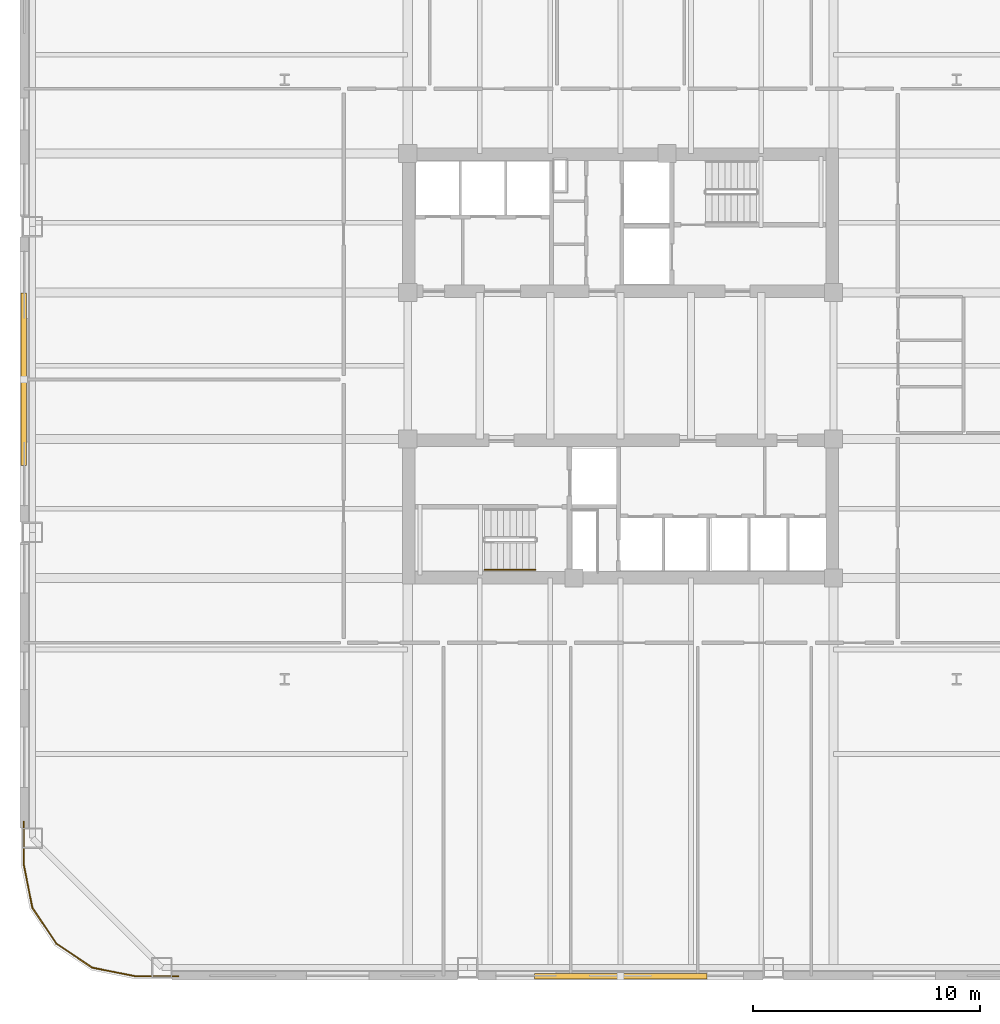
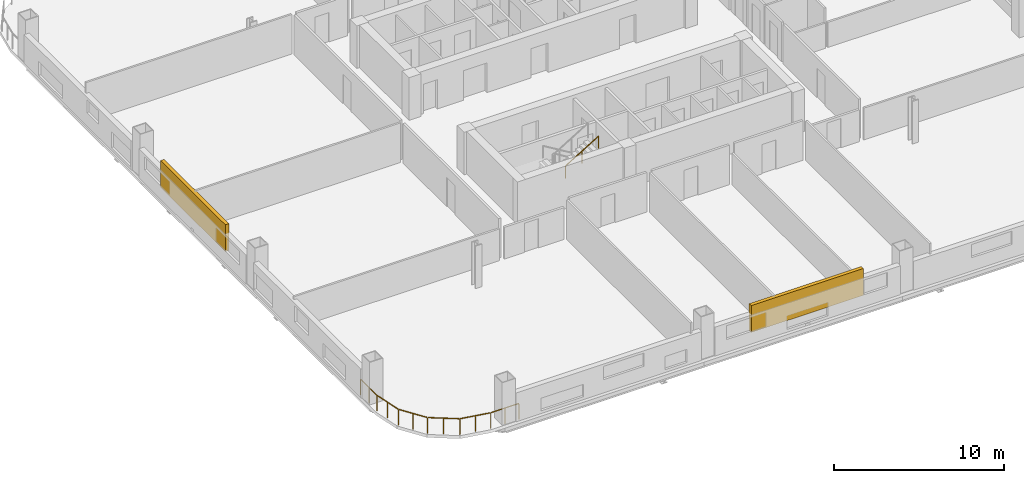
# One storey, part 7 of 12: 2 railings, 2 shading devices.
"""IFC4 building model written with IfcOpenShell, lengths in metres."""

from ifc_helpers import new_model, si_unit, direction, frame, origin, origin_2d, place, context, subcontext, project, spatial, rectangle, extrude, material, type_object, element, save


model = new_model("IFC4")

# Units and contexts
model_context = context("Model", 3, precision=1e-05, world=origin(), true_north=direction((0.0, 1.0)))
body_context = subcontext(model_context, "Body", "Model", "MODEL_VIEW")
ifc_project = project(units=[si_unit("LENGTHUNIT", "METRE"), si_unit("AREAUNIT", "SQUARE_METRE"), si_unit("VOLUMEUNIT", "CUBIC_METRE"), si_unit("PLANEANGLEUNIT", "RADIAN"), si_unit("MASSUNIT", "GRAM", prefix="KILO")], contexts=[model_context])

# Site, building, storey
site_placement = place(None, origin())
site = spatial("IfcSite", under=ifc_project, at=site_placement, CompositionType="ELEMENT")
building_placement = place(site_placement, origin())
building = spatial("IfcBuilding", under=site, at=building_placement, Name="Qhalaya Broadcast Tower", CompositionType="ELEMENT")
storey_placement = place(building_placement, frame((0.0, 0.0, 41.35009765625)))
storey = spatial("IfcBuildingStorey", under=building, at=storey_placement, Name="L11", CompositionType="ELEMENT", Elevation=41.35009765625)

# Railings
ifc_material_1 = material(Name="Powder-Coated Galvanised Steel", Category="steel")
railing_type_1 = type_object("IfcRailingType", Name="Stair Wall Handrail 900", PredefinedType="HANDRAIL", material=ifc_material_1)
railing_1_placement = place(storey_placement, frame((-5.989990234375, -8.389892578125, 1.6943359375)))
element("IfcRailing", 1, at=railing_1_placement, inside=storey, type_object=railing_type_1, Name="L11 ST-2 Stair Handrail 2", PredefinedType="HANDRAIL", context=body_context, shape_type="SweptSolid", body=[
    extrude(rectangle(XDim=0.048095703125, YDim=0.048095703125, at=origin_2d()), frame((0.0, 0.0, 0.8759765625), z_axis=(0.855553338991, 0.0, 0.51771467445), x_axis=(0.0, 1.0, 0.0)), (0.0, 0.0, 1.0), 2.6181640625),
    extrude(rectangle(XDim=0.0419921875, YDim=0.0419921875, at=origin_2d()), origin(), (0.0, 0.0, 1.0), 0.849853515625),
    extrude(rectangle(XDim=0.0419921875, YDim=0.0419921875, at=origin_2d()), frame((1.1201171875, 0.0, 0.677734375)), (0.0, 0.0, 1.0), 0.849853515625),
    extrude(rectangle(XDim=0.0419921875, YDim=0.0419921875, at=origin_2d()), frame((2.239990234375, 0.0, 1.35546875)), (0.0, 0.0, 1.0), 0.849853515625),
])
railing_type_2 = type_object("IfcRailingType", Name="Terrace, Sky-Pool & Lookout Glass Balustrade 1150", PredefinedType="BALUSTRADE", material=ifc_material_1)
railing_2_placement = place(storey_placement, frame((-19.48193359375, -26.280029296875, 0.0)))
element("IfcRailing", 2, at=railing_2_placement, inside=storey, type_object=railing_type_2, Name="L11 Rounded Corner Perimeter Guard 02", PredefinedType="BALUSTRADE", context=body_context, shape_type="SweptSolid", body=[
    extrude(rectangle(XDim=0.048095703125, YDim=0.048095703125, at=origin_2d()), frame((0.0, 0.0, 1.1259765625), z_axis=(-1.0, 0.0, 0.0), x_axis=(0.0, -1.0, 0.0)), (0.0, 0.0, 1.0), 1.87744140625),
    extrude(rectangle(XDim=0.048095703125, YDim=0.048095703125, at=origin_2d()), frame((-1.9345703125, 0.005615234375, 1.1259765625), z_axis=(-0.980795810058, 0.195037378397, 0.0), x_axis=(-0.195037378397, -0.980795810058, 0.0)), (0.0, 0.0, 1.0), 1.857421875),
    extrude(rectangle(XDim=0.048095703125, YDim=0.048095703125, at=origin_2d()), frame((-3.80859375, 0.3896484375, 1.1259765625), z_axis=(-0.831477548332, 0.555558355728, 0.0), x_axis=(-0.555558355728, -0.831477548332, 0.0)), (0.0, 0.0, 1.0), 1.845458984375),
    extrude(rectangle(XDim=0.048095703125, YDim=0.048095703125, at=origin_2d()), frame((-5.38330078125, 1.454833984375, 1.1259765625), z_axis=(-0.555558355728, 0.831477548332, 0.0), x_axis=(-0.831477548332, -0.555558355728, 0.0)), (0.0, 0.0, 1.0), 1.845458984375),
    extrude(rectangle(XDim=0.048095703125, YDim=0.048095703125, at=origin_2d()), frame((-6.43017578125, 3.041748046875, 1.1259765625), z_axis=(-0.195037378397, 0.980795810058, 0.0), x_axis=(-0.980795810058, -0.195037378397, 0.0)), (0.0, 0.0, 1.0), 1.857421875),
    extrude(rectangle(XDim=0.048095703125, YDim=0.048095703125, at=origin_2d()), frame((-6.798095703125, 4.920654296875, 1.1259765625), z_axis=(0.0, 1.0, 0.0), x_axis=(-1.0, 0.0, 0.0)), (0.0, 0.0, 1.0), 1.87744140625),
    extrude(rectangle(XDim=0.0419921875, YDim=0.0419921875, at=origin_2d()), origin(), (0.0, 0.0, 1.0), 1.099853515625),
    extrude(rectangle(XDim=0.0419921875, YDim=0.0419921875, at=origin_2d()), frame((-0.953125, 0.0, 0.0)), (0.0, 0.0, 1.0), 1.099853515625),
    extrude(rectangle(XDim=0.0419921875, YDim=0.0419921875, at=origin_2d()), frame((-1.90625, 0.0, 0.0)), (0.0, 0.0, 1.0), 1.099853515625),
    extrude(rectangle(XDim=0.0419921875, YDim=0.0419921875, at=origin_2d()), frame((-2.845458984375, 0.186767578125, 0.0)), (0.0, 0.0, 1.0), 1.099853515625),
    extrude(rectangle(XDim=0.0419921875, YDim=0.0419921875, at=origin_2d()), frame((-3.78466796875, 0.37353515625, 0.0)), (0.0, 0.0, 1.0), 1.099853515625),
    extrude(rectangle(XDim=0.0419921875, YDim=0.0419921875, at=origin_2d()), frame((-4.575927734375, 0.90234375, 0.0)), (0.0, 0.0, 1.0), 1.099853515625),
    extrude(rectangle(XDim=0.0419921875, YDim=0.0419921875, at=origin_2d()), frame((-5.3671875, 1.430908203125, 0.0)), (0.0, 0.0, 1.0), 1.099853515625),
    extrude(rectangle(XDim=0.0419921875, YDim=0.0419921875, at=origin_2d()), frame((-5.89599609375, 2.22216796875, 0.0)), (0.0, 0.0, 1.0), 1.099853515625),
    extrude(rectangle(XDim=0.0419921875, YDim=0.0419921875, at=origin_2d()), frame((-6.424560546875, 3.013427734375, 0.0)), (0.0, 0.0, 1.0), 1.099853515625),
    extrude(rectangle(XDim=0.0419921875, YDim=0.0419921875, at=origin_2d()), frame((-6.611328125, 3.95263671875, 0.0)), (0.0, 0.0, 1.0), 1.099853515625),
    extrude(rectangle(XDim=0.0419921875, YDim=0.0419921875, at=origin_2d()), frame((-6.798095703125, 4.891845703125, 0.0)), (0.0, 0.0, 1.0), 1.099853515625),
    extrude(rectangle(XDim=0.0419921875, YDim=0.0419921875, at=origin_2d()), frame((-6.798095703125, 5.844970703125, 0.0)), (0.0, 0.0, 1.0), 1.099853515625),
    extrude(rectangle(XDim=0.0419921875, YDim=0.0419921875, at=origin_2d()), frame((-6.798095703125, 6.798095703125, 0.0)), (0.0, 0.0, 1.0), 1.099853515625),
])

# Shading devices
ifc_material_2 = material(Name="Fired Architectural Terracotta", Category="masonry")
shading_device_type = type_object("IfcShadingDeviceType", Name="Terracotta Baguette Solar Screen Assembly TBS-01", PredefinedType="USERDEFINED", material=ifc_material_2)
for number, where, z_axis, x_axis, name in (
    (3, (0.0, -26.280029296875, 0.79248046875), (0.0, 0.0, 1.0), (1.0, 0.0, 0.0), "L11 Fired Terracotta Baguette Screen S"),
    (4, (-26.280029296875, 0.0, 0.79248046875), (0.0, 0.0, 1.0), (0.0, -1.0, 0.0), "L11 Fired Terracotta Baguette Screen W"),
):
    element("IfcShadingDevice", number, at=place(storey_placement, frame(where, z_axis=z_axis, x_axis=x_axis)), inside=storey, type_object=shading_device_type, Name=name, ObjectType="BAGUETTE", PredefinedType="USERDEFINED", context=body_context, shape_type="SweptSolid", body=[
        extrude(rectangle(XDim=7.60009765625, YDim=0.239990234375, at=origin_2d()), origin(), (0.0, 0.0, 1.0), 1.924072265625),
    ])

save(model, "model.ifc")
